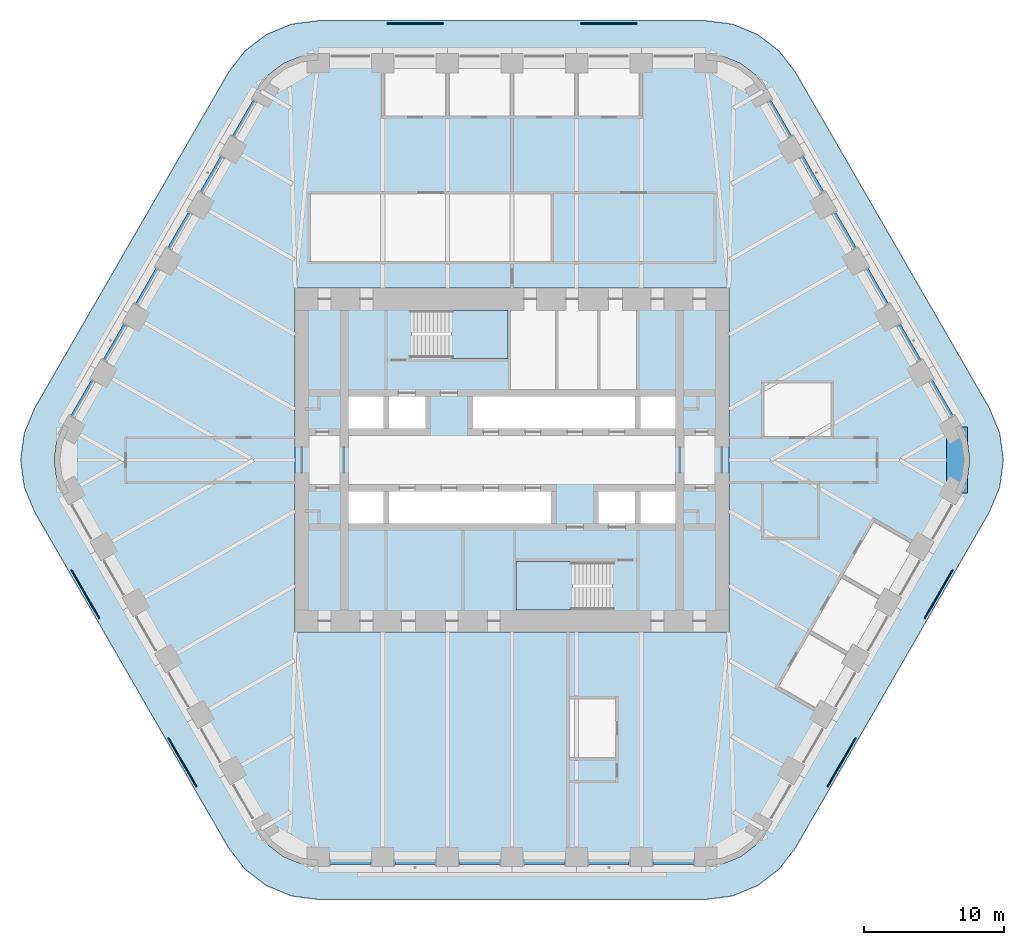
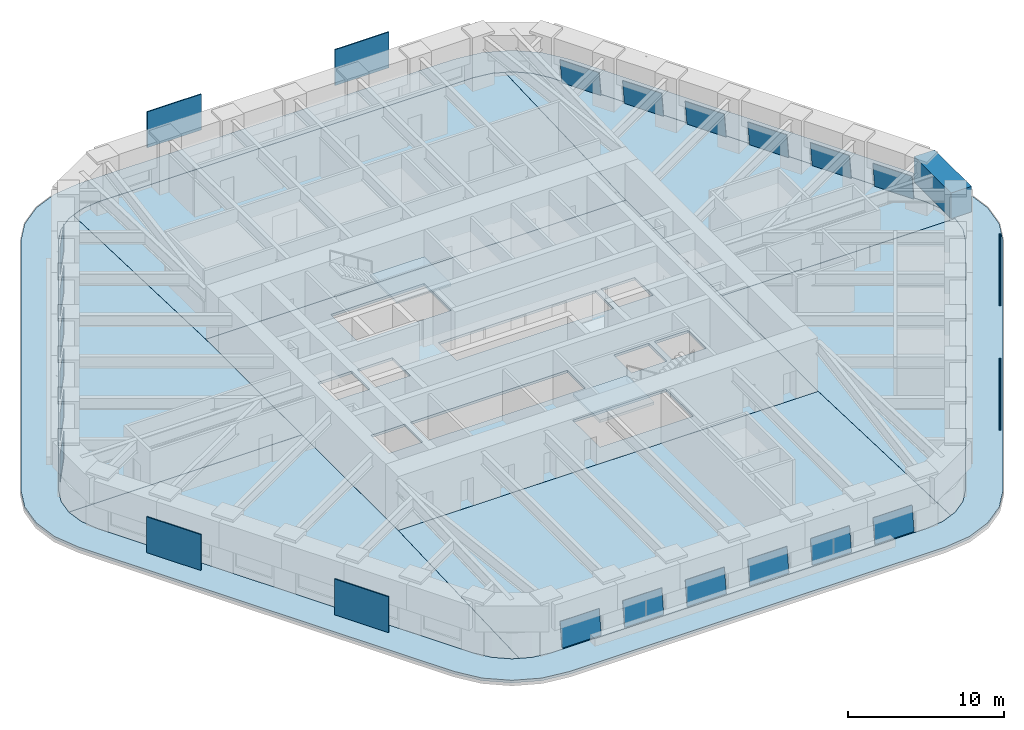
# One storey, part 13 of 20: 24 plates, 10 slabs, 1 beam, 20 elements without a shape of their own.
"""IFC4 building model written with IfcOpenShell, lengths in metres."""

from ifc_helpers import new_model, si_unit, direction, frame, origin, origin_2d, place, context, subcontext, project, spatial, polyline, rectangle, outline, extrude, material, layer, layer_set, material_profile, profile_set, type_object, element, aggregate, save


model = new_model("IFC4")

# Units and contexts
model_context = context("Model", 3, precision=1e-05, world=origin(), true_north=direction((0.0, 1.0)))
body_context = subcontext(model_context, "Body", "Model", "MODEL_VIEW")
ifc_project = project(units=[si_unit("LENGTHUNIT", "METRE"), si_unit("AREAUNIT", "SQUARE_METRE"), si_unit("VOLUMEUNIT", "CUBIC_METRE"), si_unit("PLANEANGLEUNIT", "RADIAN"), si_unit("MASSUNIT", "GRAM", prefix="KILO")], contexts=[model_context])

# Site, building, storey
site_placement = place(None, origin())
site = spatial("IfcSite", under=ifc_project, at=site_placement, CompositionType="ELEMENT")
building_placement = place(site_placement, origin())
building = spatial("IfcBuilding", under=site, at=building_placement, Name="Tarfa Lantern Tower", CompositionType="ELEMENT")
storey_placement = place(building_placement, frame((0.0, 0.0, 219.699951171875)))
storey = spatial("IfcBuildingStorey", under=building, at=storey_placement, Name="L49", CompositionType="ELEMENT", Elevation=219.699951171875)

# Beam
ifc_material_1 = material(Name="Concrete C80/95", Category="concrete")
ifc_material_profile = material_profile(ifc_material_1, rectangle(XDim=1.5, YDim=2.0, at=origin_2d()), Name="RC 1500x2000")
ifc_profile_set = profile_set([ifc_material_profile], Name="Concrete C80/95")
beam_type = type_object("IfcBeamType", Name="RB3 RC 1500x2000", PredefinedType="BEAM", material=ifc_profile_set)
beam_placement = place(storey_placement, frame((31.800537109375, -2.360107421875, 3.0), z_axis=(0.0, 1.0, 0.0), x_axis=(-1.0, 0.0, 0.0)))
element("IfcBeam", 1, at=beam_placement, inside=storey, type_object=beam_type, Name="Edge beam SE6", PredefinedType="BEAM", context=body_context, shape_type="SweptSolid", body=[
    extrude(rectangle(XDim=1.5, YDim=2.0, at=origin_2d()), origin(), (0.0, 0.0, 1.0), 4.72021484375),
])

# Slab
ifc_material_2 = material(Name="Concrete C40/50", Category="concrete")
ifc_layer_1 = layer(ifc_material_2, 0.199951171875)
ifc_layer_set_1 = layer_set([ifc_layer_1], Name="BS2 BALCONY SLAB 200")
slab_type_1 = type_object("IfcSlabType", Name="BS2 BALCONY SLAB 200", PredefinedType="FLOOR", material=ifc_layer_set_1)
slab_1_placement = place(storey_placement, frame((0.0, 0.0, -0.199951171875)))
element("IfcSlab", 2, at=slab_1_placement, inside=storey, type_object=slab_type_1, Name="Planted ledge L49", PredefinedType="FLOOR", context=body_context, shape_type="SweptSolid", body=[
    extrude(outline(polyline([(34.121337890625, 3.699951171875), (20.264892578125, 27.699951171875), (19.089111328125, 29.232666015625), (17.556396484375, 30.40869140625), (15.771728515625, 31.14794921875), (13.8564453125, 31.39990234375), (-13.8564453125, 31.39990234375), (-15.771728515625, 31.14794921875), (-17.556396484375, 30.40869140625), (-19.089111328125, 29.232666015625), (-20.264892578125, 27.699951171875), (-34.121337890625, 3.699951171875), (-34.860595703125, 1.915283203125), (-35.11279296875, 0.0), (-34.860595703125, -1.915283203125), (-34.121337890625, -3.699951171875), (-20.264892578125, -27.699951171875), (-19.089111328125, -29.232666015625), (-17.556396484375, -30.40869140625), (-15.771728515625, -31.14794921875), (-13.8564453125, -31.39990234375), (13.8564453125, -31.39990234375), (15.771728515625, -31.14794921875), (17.556396484375, -30.40869140625), (19.089111328125, -29.232666015625), (20.264892578125, -27.699951171875), (34.121337890625, -3.699951171875), (34.860595703125, -1.915283203125), (35.11279296875, 0.0), (34.860595703125, 1.915283203125), (34.121337890625, 3.699951171875)]), holes=[polyline([(32.04296875, 2.5), (18.1865234375, 26.5), (17.391845703125, 27.53564453125), (16.3564453125, 28.330078125), (15.150390625, 28.82958984375), (13.8564453125, 29.0), (-13.8564453125, 29.0), (-15.150390625, 28.82958984375), (-16.3564453125, 28.330078125), (-17.391845703125, 27.53564453125), (-18.1865234375, 26.5), (-32.04296875, 2.5), (-32.54248046875, 1.294189453125), (-32.712890625, 0.0), (-32.54248046875, -1.294189453125), (-32.04296875, -2.5), (-18.1865234375, -26.5), (-17.391845703125, -27.53564453125), (-16.3564453125, -28.330078125), (-15.150390625, -28.82958984375), (-13.8564453125, -29.0), (13.8564453125, -29.0), (15.150390625, -28.82958984375), (16.3564453125, -28.330078125), (17.391845703125, -27.53564453125), (18.1865234375, -26.5), (32.04296875, -2.5), (32.54248046875, -1.294189453125), (32.712890625, 0.0), (32.54248046875, 1.294189453125), (32.04296875, 2.5)])]), origin(), (0.0, 0.0, 1.0), 0.199951171875),
])

# Curtain wall, plate
ifc_material_3 = material(Name="Aluminium framed curtain wall", Category="aluminium")
curtain_wall_type = type_object("IfcCurtainWallType", Name="CW3 CANTED GLAZING HIGH ZONE 2000", PredefinedType="USERDEFINED", material=ifc_material_3)
curtain_wall_1_placement = place(storey_placement, origin())
curtain_wall_1 = element("IfcCurtainWall", 3, at=curtain_wall_1_placement, inside=storey, type_object=curtain_wall_type, Name="CW3 NE L49", ObjectType="CURTAIN WALL", PredefinedType="USERDEFINED")
ifc_material_4 = material(Name="Laminated double glazing", Category="glass")
ifc_layer_2 = layer(ifc_material_4, 0.028076171875)
ifc_layer_set_2 = layer_set([ifc_layer_2], Name="CWP1 DOUBLE GLAZED PANEL")
plate_type_1 = type_object("IfcPlateType", Name="CWP1 DOUBLE GLAZED PANEL", PredefinedType="CURTAIN_PANEL", material=ifc_layer_set_2)
plate_1_placement = place(storey_placement, frame((31.52392578125, 3.19921875, 0.0), z_axis=(0.859301462818, 0.496192715477, 0.124071693411), x_axis=(-0.500056524144, 0.865992767095, 0.0)))
plate_1 = element("IfcPlate", 4, at=plate_1_placement, type_object=plate_type_1, Name="CW3 panel 1.1", PredefinedType="CURTAIN_PANEL", context=body_context, shape_type="SweptSolid", body=[
    extrude(outline(polyline([(0.0, 0.0), (2.888833578560424, -2.7755575615628914e-17), (2.88871543530755, 1.950126723393481), (-0.000118143252874362, 1.950126723393481), (0.0, 0.0)])), origin(), (0.0, 0.0, -1.0), 0.028076171875),
])
aggregate(curtain_wall_1, [plate_1])

curtain_wall_2_placement = place(storey_placement, origin())
curtain_wall_2 = element("IfcCurtainWall", 5, at=curtain_wall_2_placement, inside=storey, type_object=curtain_wall_type, Name="CW3 NE L49", ObjectType="CURTAIN WALL", PredefinedType="USERDEFINED")
plate_2_placement = place(storey_placement, frame((29.21435546875, 7.19921875, 0.0), z_axis=(0.859337777236, 0.496129822399, 0.124071688718), x_axis=(-0.499993141028, 0.866029363778, 0.0)))
plate_2 = element("IfcPlate", 6, at=plate_2_placement, type_object=plate_type_1, Name="CW3 panel 1.1", PredefinedType="CURTAIN_PANEL", context=body_context, shape_type="SweptSolid", body=[
    extrude(outline(polyline([(0.0, 0.0), (2.8887115021851173, 2.7755575615628914e-17), (2.8885756502729745, 1.9501267222402445), (-0.00013585191214296466, 1.9501267222402445), (0.0, 0.0)])), origin(), (0.0, 0.0, -1.0), 0.028076171875),
])
aggregate(curtain_wall_2, [plate_2])

curtain_wall_3_placement = place(storey_placement, origin())
curtain_wall_3 = element("IfcCurtainWall", 7, at=curtain_wall_3_placement, inside=storey, type_object=curtain_wall_type, Name="CW3 NE L49", ObjectType="CURTAIN WALL", PredefinedType="USERDEFINED")
plate_3_placement = place(storey_placement, frame((26.905029296875, 11.19921875, 0.0), z_axis=(0.859337777236, 0.496129822399, 0.124071688718), x_axis=(-0.499993141028, 0.866029363778, 0.0)))
plate_3 = element("IfcPlate", 8, at=plate_3_placement, type_object=plate_type_1, Name="CW3 panel 1.1", PredefinedType="CURTAIN_PANEL", context=body_context, shape_type="SweptSolid", body=[
    extrude(outline(polyline([(0.0, 0.0), (2.8887115021851173, 2.7755575615628914e-17), (2.8885756502729745, 1.9501267222402445), (-0.00013585191214296466, 1.9501267222402445), (0.0, 0.0)])), origin(), (0.0, 0.0, -1.0), 0.028076171875),
])
aggregate(curtain_wall_3, [plate_3])

curtain_wall_4_placement = place(storey_placement, origin())
curtain_wall_4 = element("IfcCurtainWall", 9, at=curtain_wall_4_placement, inside=storey, type_object=curtain_wall_type, Name="CW3 NE L49", ObjectType="CURTAIN WALL", PredefinedType="USERDEFINED")
plate_4_placement = place(storey_placement, frame((24.595703125, 15.19921875, 0.0), z_axis=(0.859301462818, 0.496192715477, 0.124071693411), x_axis=(-0.500056524144, 0.865992767095, 0.0)))
plate_4 = element("IfcPlate", 10, at=plate_4_placement, type_object=plate_type_1, Name="CW3 panel 1.1", PredefinedType="CURTAIN_PANEL", context=body_context, shape_type="SweptSolid", body=[
    extrude(outline(polyline([(0.0, 0.0), (2.888833578560424, -2.7755575615628914e-17), (2.88871543530755, 1.950126723393481), (-0.000118143252874362, 1.950126723393481), (0.0, 0.0)])), origin(), (0.0, 0.0, -1.0), 0.028076171875),
])
aggregate(curtain_wall_4, [plate_4])

curtain_wall_5_placement = place(storey_placement, origin())
curtain_wall_5 = element("IfcCurtainWall", 11, at=curtain_wall_5_placement, inside=storey, type_object=curtain_wall_type, Name="CW3 NE L49", ObjectType="CURTAIN WALL", PredefinedType="USERDEFINED")
plate_5_placement = place(storey_placement, frame((22.2861328125, 19.19921875, 0.0), z_axis=(0.859337777236, 0.496129822399, 0.124071688718), x_axis=(-0.499993141028, 0.866029363778, 0.0)))
plate_5 = element("IfcPlate", 12, at=plate_5_placement, type_object=plate_type_1, Name="CW3 panel 1.1", PredefinedType="CURTAIN_PANEL", context=body_context, shape_type="SweptSolid", body=[
    extrude(outline(polyline([(0.0, 0.0), (2.8887115021851173, 2.7755575615628914e-17), (2.8885756502729745, 1.9501267222402445), (-0.00013585191214296466, 1.9501267222402445), (0.0, 0.0)])), origin(), (0.0, 0.0, -1.0), 0.028076171875),
])
aggregate(curtain_wall_5, [plate_5])

curtain_wall_6_placement = place(storey_placement, origin())
curtain_wall_6 = element("IfcCurtainWall", 13, at=curtain_wall_6_placement, inside=storey, type_object=curtain_wall_type, Name="CW3 NE L49", ObjectType="CURTAIN WALL", PredefinedType="USERDEFINED")
plate_6_placement = place(storey_placement, frame((19.976806640625, 23.19921875, 0.0), z_axis=(0.859337777236, 0.496129822399, 0.124071688718), x_axis=(-0.499993141028, 0.866029363778, 0.0)))
plate_6 = element("IfcPlate", 14, at=plate_6_placement, type_object=plate_type_1, Name="CW3 panel 1.1", PredefinedType="CURTAIN_PANEL", context=body_context, shape_type="SweptSolid", body=[
    extrude(outline(polyline([(0.0, 0.0), (2.8887115021851173, 2.7755575615628914e-17), (2.8885756502729745, 1.9501267222402445), (-0.00013585191214296466, 1.9501267222402445), (0.0, 0.0)])), origin(), (0.0, 0.0, -1.0), 0.028076171875),
])
aggregate(curtain_wall_6, [plate_6])

curtain_wall_7_placement = place(storey_placement, origin())
curtain_wall_7 = element("IfcCurtainWall", 15, at=curtain_wall_7_placement, inside=storey, type_object=curtain_wall_type, Name="CW3 NW L49", ObjectType="CURTAIN WALL", PredefinedType="USERDEFINED")
plate_7_placement = place(storey_placement, frame((-18.532470703125, 25.700927734375, 0.0), z_axis=(-0.859337777236, 0.496129822399, 0.124071688718), x_axis=(-0.499993141028, -0.866029363778, 0.0)))
plate_7 = element("IfcPlate", 16, at=plate_7_placement, type_object=plate_type_1, Name="CW3 panel 1.1", PredefinedType="CURTAIN_PANEL", context=body_context, shape_type="SweptSolid", body=[
    extrude(outline(polyline([(0.0, 0.0), (2.8887115021851173, -2.7755575615628914e-17), (2.888847354097261, 1.9501267222402445), (0.00013585191214296466, 1.9501267222402445), (0.0, 0.0)])), origin(), (0.0, 0.0, -1.0), 0.028076171875),
])
aggregate(curtain_wall_7, [plate_7])

curtain_wall_8_placement = place(storey_placement, origin())
curtain_wall_8 = element("IfcCurtainWall", 17, at=curtain_wall_8_placement, inside=storey, type_object=curtain_wall_type, Name="CW3 NW L49", ObjectType="CURTAIN WALL", PredefinedType="USERDEFINED")
plate_8_placement = place(storey_placement, frame((-20.841796875, 21.700927734375, 0.0), z_axis=(-0.859337777236, 0.496129822399, 0.124071688718), x_axis=(-0.499993141028, -0.866029363778, 0.0)))
plate_8 = element("IfcPlate", 18, at=plate_8_placement, type_object=plate_type_1, Name="CW3 panel 1.1", PredefinedType="CURTAIN_PANEL", context=body_context, shape_type="SweptSolid", body=[
    extrude(outline(polyline([(0.0, 0.0), (2.8887115021851173, -2.7755575615628914e-17), (2.888847354097261, 1.9501267222402445), (0.00013585191214296466, 1.9501267222402445), (0.0, 0.0)])), origin(), (0.0, 0.0, -1.0), 0.028076171875),
])
aggregate(curtain_wall_8, [plate_8])

curtain_wall_9_placement = place(storey_placement, origin())
curtain_wall_9 = element("IfcCurtainWall", 19, at=curtain_wall_9_placement, inside=storey, type_object=curtain_wall_type, Name="CW3 NW L49", ObjectType="CURTAIN WALL", PredefinedType="USERDEFINED")
plate_9_placement = place(storey_placement, frame((-23.151123046875, 17.700927734375, 0.0), z_axis=(-0.859301462818, 0.496192715477, 0.124071693411), x_axis=(-0.500056524144, -0.865992767095, 0.0)))
plate_9 = element("IfcPlate", 20, at=plate_9_placement, type_object=plate_type_1, Name="CW3 panel 1.1", PredefinedType="CURTAIN_PANEL", context=body_context, shape_type="SweptSolid", body=[
    extrude(outline(polyline([(0.0, 0.0), (2.888833578560424, 2.7755575615628914e-17), (2.8889517218132985, 1.950126723393481), (0.000118143252874362, 1.950126723393481), (0.0, 0.0)])), origin(), (0.0, 0.0, -1.0), 0.028076171875),
])
aggregate(curtain_wall_9, [plate_9])

curtain_wall_10_placement = place(storey_placement, origin())
curtain_wall_10 = element("IfcCurtainWall", 21, at=curtain_wall_10_placement, inside=storey, type_object=curtain_wall_type, Name="CW3 NW L49", ObjectType="CURTAIN WALL", PredefinedType="USERDEFINED")
plate_10_placement = place(storey_placement, frame((-25.460693359375, 13.700927734375, 0.0), z_axis=(-0.859337777236, 0.496129822399, 0.124071688718), x_axis=(-0.499993141028, -0.866029363778, 0.0)))
plate_10 = element("IfcPlate", 22, at=plate_10_placement, type_object=plate_type_1, Name="CW3 panel 1.1", PredefinedType="CURTAIN_PANEL", context=body_context, shape_type="SweptSolid", body=[
    extrude(outline(polyline([(0.0, 0.0), (2.8887115021851173, -2.7755575615628914e-17), (2.888847354097261, 1.9501267222402445), (0.00013585191214296466, 1.9501267222402445), (0.0, 0.0)])), origin(), (0.0, 0.0, -1.0), 0.028076171875),
])
aggregate(curtain_wall_10, [plate_10])

curtain_wall_11_placement = place(storey_placement, origin())
curtain_wall_11 = element("IfcCurtainWall", 23, at=curtain_wall_11_placement, inside=storey, type_object=curtain_wall_type, Name="CW3 NW L49", ObjectType="CURTAIN WALL", PredefinedType="USERDEFINED")
plate_11_placement = place(storey_placement, frame((-27.77001953125, 9.700927734375, 0.0), z_axis=(-0.859337777236, 0.496129822399, 0.124071688718), x_axis=(-0.499993141028, -0.866029363778, 0.0)))
plate_11 = element("IfcPlate", 24, at=plate_11_placement, type_object=plate_type_1, Name="CW3 panel 1.1", PredefinedType="CURTAIN_PANEL", context=body_context, shape_type="SweptSolid", body=[
    extrude(outline(polyline([(0.0, 0.0), (2.8887115021851173, -2.7755575615628914e-17), (2.888847354097261, 1.9501267222402445), (0.00013585191214296466, 1.9501267222402445), (0.0, 0.0)])), origin(), (0.0, 0.0, -1.0), 0.028076171875),
])
aggregate(curtain_wall_11, [plate_11])

curtain_wall_12_placement = place(storey_placement, origin())
curtain_wall_12 = element("IfcCurtainWall", 25, at=curtain_wall_12_placement, inside=storey, type_object=curtain_wall_type, Name="CW3 NW L49", ObjectType="CURTAIN WALL", PredefinedType="USERDEFINED")
plate_12_placement = place(storey_placement, frame((-30.079345703125, 5.700927734375, 0.0), z_axis=(-0.859301462818, 0.496192715477, 0.124071693411), x_axis=(-0.500056524144, -0.865992767095, 0.0)))
plate_12 = element("IfcPlate", 26, at=plate_12_placement, type_object=plate_type_1, Name="CW3 panel 1.1", PredefinedType="CURTAIN_PANEL", context=body_context, shape_type="SweptSolid", body=[
    extrude(outline(polyline([(0.0, 0.0), (2.888833578560424, 2.7755575615628914e-17), (2.8889517218132985, 1.950126723393481), (0.000118143252874362, 1.950126723393481), (0.0, 0.0)])), origin(), (0.0, 0.0, -1.0), 0.028076171875),
])
aggregate(curtain_wall_12, [plate_12])

curtain_wall_13_placement = place(storey_placement, origin())
curtain_wall_13 = element("IfcCurtainWall", 27, at=curtain_wall_13_placement, inside=storey, type_object=curtain_wall_type, Name="CW3 S L49", ObjectType="CURTAIN WALL", PredefinedType="USERDEFINED")
plate_13_placement = place(storey_placement, frame((-12.991455078125, -28.89990234375, 0.0), z_axis=(0.0, -0.992289428797, 0.123942282931), x_axis=(1.0, 0.0, 0.0)))
plate_13 = element("IfcPlate", 28, at=plate_13_placement, type_object=plate_type_1, Name="CW3 panel 1.1", PredefinedType="CURTAIN_PANEL", context=body_context, shape_type="SweptSolid", body=[
    extrude(outline(polyline([(0.0, 0.0), (2.888916015625, 0.0), (2.888916015625, 1.9500949396350138), (0.0, 1.9500949396350138), (0.0, 0.0)])), origin(), (0.0, 0.0, -1.0), 0.028076171875),
])
aggregate(curtain_wall_13, [plate_13])

curtain_wall_14_placement = place(storey_placement, origin())
curtain_wall_14 = element("IfcCurtainWall", 29, at=curtain_wall_14_placement, inside=storey, type_object=curtain_wall_type, Name="CW3 S L49", ObjectType="CURTAIN WALL", PredefinedType="USERDEFINED")
plate_14_placement = place(storey_placement, frame((-8.37255859375, -28.89990234375, 0.0), z_axis=(0.0, -0.992289428797, 0.123942282931), x_axis=(1.0, 0.0, 0.0)))
plate_14 = element("IfcPlate", 30, at=plate_14_placement, type_object=plate_type_1, Name="CW3 panel 1.1", PredefinedType="CURTAIN_PANEL", context=body_context, shape_type="SweptSolid", body=[
    extrude(outline(polyline([(0.0, 0.0), (2.888671875, 0.0), (2.888671875, 1.9500949396350138), (0.0, 1.9500949396350138), (0.0, 0.0)])), origin(), (0.0, 0.0, -1.0), 0.028076171875),
])
aggregate(curtain_wall_14, [plate_14])

curtain_wall_15_placement = place(storey_placement, origin())
curtain_wall_15 = element("IfcCurtainWall", 31, at=curtain_wall_15_placement, inside=storey, type_object=curtain_wall_type, Name="CW3 S L49", ObjectType="CURTAIN WALL", PredefinedType="USERDEFINED")
plate_15_placement = place(storey_placement, frame((-3.75390625, -28.89990234375, 0.0), z_axis=(0.0, -0.992289428797, 0.123942282931), x_axis=(1.0, 0.0, 0.0)))
plate_15 = element("IfcPlate", 32, at=plate_15_placement, type_object=plate_type_1, Name="CW3 panel 1.1", PredefinedType="CURTAIN_PANEL", context=body_context, shape_type="SweptSolid", body=[
    extrude(outline(polyline([(0.0, 0.0), (2.888916015625, 0.0), (2.888916015625, 1.9500949396350138), (0.0, 1.9500949396350138), (0.0, 0.0)])), origin(), (0.0, 0.0, -1.0), 0.028076171875),
])
aggregate(curtain_wall_15, [plate_15])

curtain_wall_16_placement = place(storey_placement, origin())
curtain_wall_16 = element("IfcCurtainWall", 33, at=curtain_wall_16_placement, inside=storey, type_object=curtain_wall_type, Name="CW3 S L49", ObjectType="CURTAIN WALL", PredefinedType="USERDEFINED")
plate_16_placement = place(storey_placement, frame((0.864990234375, -28.89990234375, 0.0), z_axis=(0.0, -0.992289428797, 0.123942282931), x_axis=(1.0, 0.0, 0.0)))
plate_16 = element("IfcPlate", 34, at=plate_16_placement, type_object=plate_type_1, Name="CW3 panel 1.1", PredefinedType="CURTAIN_PANEL", context=body_context, shape_type="SweptSolid", body=[
    extrude(outline(polyline([(0.0, 0.0), (2.888916015625, 0.0), (2.888916015625, 1.9500949396350138), (0.0, 1.9500949396350138), (0.0, 0.0)])), origin(), (0.0, 0.0, -1.0), 0.028076171875),
])
aggregate(curtain_wall_16, [plate_16])

curtain_wall_17_placement = place(storey_placement, origin())
curtain_wall_17 = element("IfcCurtainWall", 35, at=curtain_wall_17_placement, inside=storey, type_object=curtain_wall_type, Name="CW3 S L49", ObjectType="CURTAIN WALL", PredefinedType="USERDEFINED")
plate_17_placement = place(storey_placement, frame((5.48388671875, -28.89990234375, 0.0), z_axis=(0.0, -0.992289428797, 0.123942282931), x_axis=(1.0, 0.0, 0.0)))
plate_17 = element("IfcPlate", 36, at=plate_17_placement, type_object=plate_type_1, Name="CW3 panel 1.1", PredefinedType="CURTAIN_PANEL", context=body_context, shape_type="SweptSolid", body=[
    extrude(outline(polyline([(0.0, 0.0), (2.888671875, 0.0), (2.888671875, 1.9500949396350138), (0.0, 1.9500949396350138), (0.0, 0.0)])), origin(), (0.0, 0.0, -1.0), 0.028076171875),
])
aggregate(curtain_wall_17, [plate_17])

curtain_wall_18_placement = place(storey_placement, origin())
curtain_wall_18 = element("IfcCurtainWall", 37, at=curtain_wall_18_placement, inside=storey, type_object=curtain_wall_type, Name="CW3 S L49", ObjectType="CURTAIN WALL", PredefinedType="USERDEFINED")
plate_18_placement = place(storey_placement, frame((10.1025390625, -28.89990234375, 0.0), z_axis=(0.0, -0.992289428797, 0.123942282931), x_axis=(1.0, 0.0, 0.0)))
plate_18 = element("IfcPlate", 38, at=plate_18_placement, type_object=plate_type_1, Name="CW3 panel 1.1", PredefinedType="CURTAIN_PANEL", context=body_context, shape_type="SweptSolid", body=[
    extrude(outline(polyline([(0.0, 0.0), (2.888916015625, 0.0), (2.888916015625, 1.9500949396350138), (0.0, 1.9500949396350138), (0.0, 0.0)])), origin(), (0.0, 0.0, -1.0), 0.028076171875),
])
aggregate(curtain_wall_18, [plate_18])

# Slabs
ifc_layer_3 = layer(ifc_material_2, 0.199951171875)
ifc_layer_set_3 = layer_set([ifc_layer_3], Name="FS1 FLOOR SLAB 200")
slab_type_2 = type_object("IfcSlabType", Name="FS1 FLOOR SLAB 200", PredefinedType="FLOOR", material=ifc_layer_set_3)
slab_2_placement = place(storey_placement, frame((0.0, 0.0, -0.199951171875)))
element("IfcSlab", 39, at=slab_2_placement, inside=storey, type_object=slab_type_2, Name="Floor slab L49", PredefinedType="FLOOR", context=body_context, shape_type="SweptSolid", body=[
    extrude(outline(polyline([(-15.5, -12.300048828125), (15.5, -12.300048828125), (15.5, 12.300048828125), (-15.5, 12.300048828125), (-15.5, -12.300048828125)]), holes=[polyline([(-11.699951171875, 2.25), (-9.199951171875, 2.25), (-9.199951171875, 4.550048828125), (-11.699951171875, 4.550048828125), (-11.699951171875, 2.25)]), polyline([(-8.800048828125, 2.25), (-6.199951171875, 2.25), (-6.199951171875, 4.550048828125), (-8.800048828125, 4.550048828125), (-8.800048828125, 2.25)]), polyline([(-2.800048828125, 2.25), (8.800048828125, 2.25), (8.800048828125, 4.550048828125), (-2.800048828125, 4.550048828125), (-2.800048828125, 2.25)]), polyline([(9.199951171875, 2.25), (11.699951171875, 2.25), (11.699951171875, 4.550048828125), (9.199951171875, 4.550048828125), (9.199951171875, 2.25)]), polyline([(11.699951171875, -2.25), (9.199951171875, -2.25), (9.199951171875, -4.550048828125), (11.699951171875, -4.550048828125), (11.699951171875, -2.25)]), polyline([(8.800048828125, -2.25), (6.199951171875, -2.25), (6.199951171875, -4.550048828125), (8.800048828125, -4.550048828125), (8.800048828125, -2.25)]), polyline([(2.800048828125, -2.25), (-8.800048828125, -2.25), (-8.800048828125, -4.550048828125), (2.800048828125, -4.550048828125), (2.800048828125, -2.25)]), polyline([(-9.199951171875, -2.25), (-11.699951171875, -2.25), (-11.699951171875, -4.550048828125), (-9.199951171875, -4.550048828125), (-9.199951171875, -2.25)]), polyline([(-7.199951171875, 7.25), (-0.300048828125, 7.25), (-0.300048828125, 10.699951171875), (-7.199951171875, 10.699951171875), (-7.199951171875, 7.25)]), polyline([(7.199951171875, -7.25), (0.300048828125, -7.25), (0.300048828125, -10.699951171875), (7.199951171875, -10.699951171875), (7.199951171875, -7.25)])]), origin(), (0.0, 0.0, 1.0), 0.199951171875),
])
slab_3_placement = place(storey_placement, frame((0.0, 0.0, -0.199951171875)))
element("IfcSlab", 40, at=slab_3_placement, inside=storey, type_object=slab_type_2, Name="Floor slab L49 NE bay", PredefinedType="FLOOR", context=body_context, shape_type="SweptSolid", body=[
    extrude(outline(polyline([(32.041259765625, 2.4990234375), (18.184814453125, 26.498779296875), (17.390625, 27.5341796875), (16.35546875, 28.328369140625), (15.927490234375, 28.505615234375), (15.501953125, 12.300048828125), (15.501953125, 0.001953125), (32.71044921875, 0.001953125), (32.54052734375, 1.29345703125), (32.041259765625, 2.4990234375)])), origin(), (0.0, 0.0, 1.0), 0.199951171875),
])
slab_4_placement = place(storey_placement, frame((0.0, 0.0, -0.199951171875)))
element("IfcSlab", 41, at=slab_4_placement, inside=storey, type_object=slab_type_2, Name="Floor slab L49 N bay", PredefinedType="FLOOR", context=body_context, shape_type="SweptSolid", body=[
    extrude(outline(polyline([(-15.498046875, 12.302001953125), (15.498046875, 12.302001953125), (15.923583984375, 28.50732421875), (15.14990234375, 28.82763671875), (13.856201171875, 28.998046875), (-13.856201171875, 28.998046875), (-15.14990234375, 28.82763671875), (-15.923583984375, 28.50732421875), (-15.498046875, 12.302001953125)])), origin(), (0.0, 0.0, 1.0), 0.199951171875),
])
slab_5_placement = place(storey_placement, frame((0.0, 0.0, -0.199951171875)))
element("IfcSlab", 42, at=slab_5_placement, inside=storey, type_object=slab_type_2, Name="Floor slab L49 NW bay", PredefinedType="FLOOR", context=body_context, shape_type="SweptSolid", body=[
    extrude(outline(polyline([(-15.501953125, 0.001953125), (-15.501953125, 12.300048828125), (-15.927490234375, 28.505615234375), (-16.35546875, 28.328369140625), (-17.390625, 27.5341796875), (-18.184814453125, 26.498779296875), (-32.041259765625, 2.4990234375), (-32.54052734375, 1.29345703125), (-32.71044921875, 0.001953125), (-15.501953125, 0.001953125)])), origin(), (0.0, 0.0, 1.0), 0.199951171875),
])
slab_6_placement = place(storey_placement, frame((0.0, 0.0, -0.199951171875)))
element("IfcSlab", 43, at=slab_6_placement, inside=storey, type_object=slab_type_2, Name="Floor slab L49 SW bay", PredefinedType="FLOOR", context=body_context, shape_type="SweptSolid", body=[
    extrude(outline(polyline([(-15.501953125, -12.300048828125), (-15.501953125, -0.001953125), (-32.71044921875, -0.001953125), (-32.54052734375, -1.29345703125), (-32.041259765625, -2.4990234375), (-18.184814453125, -26.498779296875), (-17.390625, -27.5341796875), (-16.35546875, -28.328369140625), (-15.927490234375, -28.505615234375), (-15.501953125, -12.300048828125)])), origin(), (0.0, 0.0, 1.0), 0.199951171875),
])
slab_7_placement = place(storey_placement, frame((0.0, 0.0, -0.199951171875)))
element("IfcSlab", 44, at=slab_7_placement, inside=storey, type_object=slab_type_2, Name="Floor slab L49 S bay", PredefinedType="FLOOR", context=body_context, shape_type="SweptSolid", body=[
    extrude(outline(polyline([(15.498046875, -12.302001953125), (-15.498046875, -12.302001953125), (-15.923583984375, -28.50732421875), (-15.14990234375, -28.82763671875), (-13.856201171875, -28.998046875), (13.856201171875, -28.998046875), (15.14990234375, -28.82763671875), (15.923583984375, -28.50732421875), (15.498046875, -12.302001953125)])), origin(), (0.0, 0.0, 1.0), 0.199951171875),
])
slab_8_placement = place(storey_placement, frame((0.0, 0.0, -0.199951171875)))
element("IfcSlab", 45, at=slab_8_placement, inside=storey, type_object=slab_type_2, Name="Floor slab L49 SE bay", PredefinedType="FLOOR", context=body_context, shape_type="SweptSolid", body=[
    extrude(outline(polyline([(15.501953125, -0.001953125), (15.501953125, -12.300048828125), (15.927490234375, -28.505615234375), (16.35546875, -28.328369140625), (17.390625, -27.5341796875), (18.184814453125, -26.498779296875), (32.041259765625, -2.4990234375), (32.54052734375, -1.29345703125), (32.71044921875, -0.001953125), (15.501953125, -0.001953125)])), origin(), (0.0, 0.0, 1.0), 0.199951171875),
])

# Plates
ifc_material_5 = material(Name="Perforated limestone screen", Category="masonry")
ifc_layer_4 = layer(ifc_material_5, 0.080078125)
ifc_layer_set_4 = layer_set([ifc_layer_4], Name="SC1 STONE SCREEN 80")
plate_type_2 = type_object("IfcPlateType", Name="SC1 STONE SCREEN 80", PredefinedType="USERDEFINED", material=ifc_layer_set_4)
for number, where, z_axis, x_axis, name in (
    (46, (6.92822265625, 31.199951171875, 1.2001953125), (0.0, 0.0, 1.0), (-1.0, 0.0, 0.0), "Stone screen N 1"),
    (47, (-6.92822265625, 31.199951171875, 1.2001953125), (0.0, 0.0, 1.0), (-1.0, 0.0, 0.0), "Stone screen N 2"),
    (48, (-30.484130859375, -9.60009765625, 1.2001953125), (0.0, 0.0, 1.0), (0.5, -0.866025403784, 0.0), "Stone screen SW 1"),
    (49, (-23.555908203125, -21.60009765625, 1.2001953125), (0.0, 0.0, 1.0), (0.5, -0.866025403784, 0.0), "Stone screen SW 2"),
    (50, (23.555908203125, -21.60009765625, 1.2001953125), (0.0, 0.0, 1.0), (0.5, 0.866025403784, 0.0), "Stone screen SE 1"),
    (51, (30.484130859375, -9.60009765625, 1.2001953125), (0.0, 0.0, 1.0), (0.5, 0.866025403784, 0.0), "Stone screen SE 2"),
):
    element("IfcPlate", number, at=place(storey_placement, frame(where, z_axis=z_axis, x_axis=x_axis)), inside=storey, type_object=plate_type_2, Name=name, ObjectType="SCREEN", PredefinedType="USERDEFINED", context=body_context, shape_type="SweptSolid", body=[
        extrude(rectangle(XDim=4.0, YDim=0.080078125, at=origin_2d()), origin(), (0.0, 0.0, 1.0), 2.800048828125),
    ])

# Stair, slab
stair_type = type_object("IfcStairType", Name="ST-T10 HALF-TURN STAIR 4200 RISE", PredefinedType="HALF_TURN_STAIR", material=ifc_material_2)
stair_1_placement = place(storey_placement, origin())
stair_1 = element("IfcStair", 52, at=stair_1_placement, inside=storey, type_object=stair_type, Name="Stair ST1", PredefinedType="HALF_TURN_STAIR")
ifc_layer_5 = layer(ifc_material_2, 0.199951171875)
ifc_layer_set_5 = layer_set([ifc_layer_5], Name="SL1 STAIR LANDING 200")
slab_type_3 = type_object("IfcSlabType", Name="SL1 STAIR LANDING 200", PredefinedType="LANDING", material=ifc_layer_set_5)
slab_9_placement = place(storey_placement, frame((0.0, 0.0, 1.900146484375)))
slab_9 = element("IfcSlab", 53, at=slab_9_placement, type_object=slab_type_3, Name="ST1 landing 1", PredefinedType="LANDING", context=body_context, shape_type="SweptSolid", body=[
    extrude(outline(polyline([(-4.320068359375, 7.25), (-0.300048828125, 7.25), (-0.300048828125, 10.699951171875), (-4.320068359375, 10.699951171875), (-4.320068359375, 7.25)])), origin(), (0.0, 0.0, 1.0), 0.199951171875),
])
aggregate(stair_1, [slab_9])

stair_2_placement = place(storey_placement, origin())
stair_2 = element("IfcStair", 54, at=stair_2_placement, inside=storey, type_object=stair_type, Name="Stair ST2", PredefinedType="HALF_TURN_STAIR")
slab_10_placement = place(storey_placement, frame((0.0, 0.0, 1.900146484375)))
slab_10 = element("IfcSlab", 55, at=slab_10_placement, type_object=slab_type_3, Name="ST2 landing 1", PredefinedType="LANDING", context=body_context, shape_type="SweptSolid", body=[
    extrude(outline(polyline([(4.320068359375, -7.25), (0.300048828125, -7.25), (0.300048828125, -10.699951171875), (4.320068359375, -10.699951171875), (4.320068359375, -7.25)])), origin(), (0.0, 0.0, 1.0), 0.199951171875),
])
aggregate(stair_2, [slab_10])

save(model, "model.ifc")
